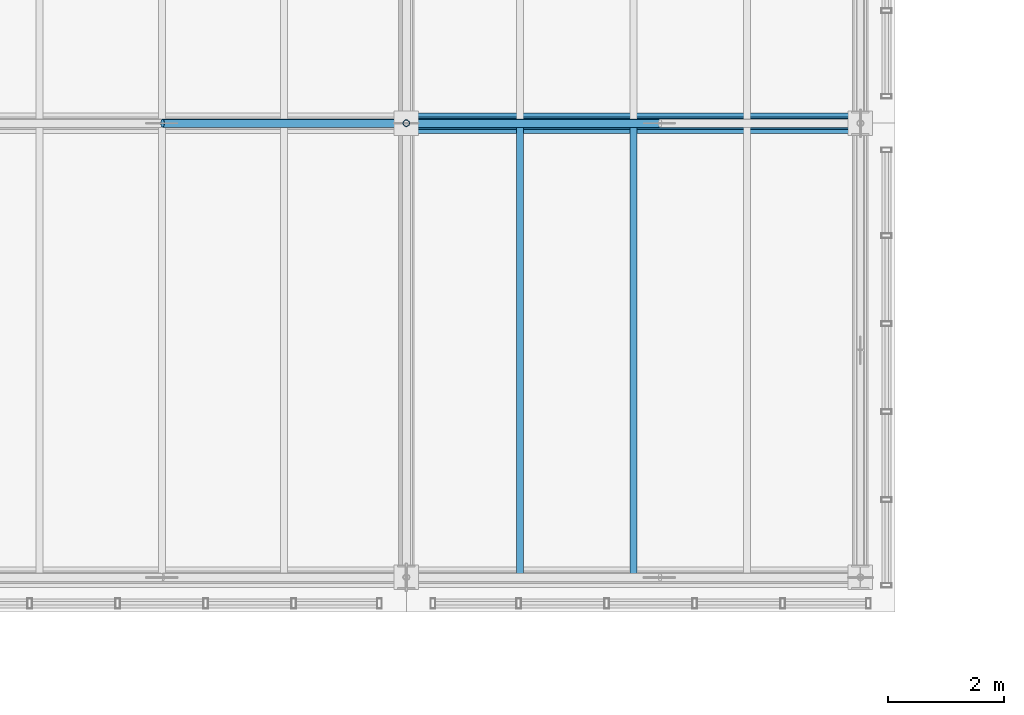
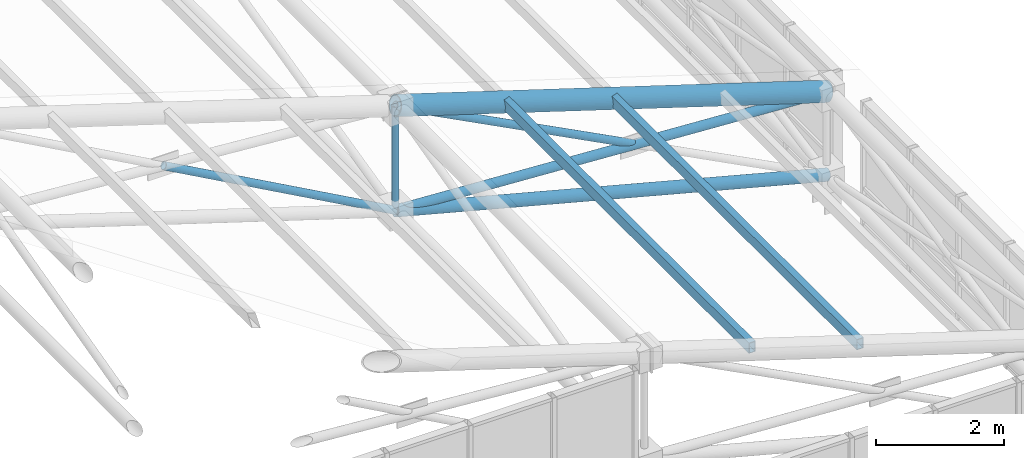
# One storey, part 84 of 144: 8 members.
"""IFC4 building model written with IfcOpenShell, lengths in metres."""

from ifc_helpers import new_model, si_unit, direction, frame, origin, origin_2d, place, context, subcontext, project, spatial, hollow_rectangle, hollow_circle, extrude, material, material_profile, profile_set, type_object, element, save


model = new_model("IFC4")

# Units and contexts
model_context = context("Model", 3, precision=1e-05, world=origin(), true_north=direction((0.0, 1.0)))
body_context = subcontext(model_context, "Body", "Model", "MODEL_VIEW")
ifc_project = project(units=[si_unit("LENGTHUNIT", "METRE"), si_unit("AREAUNIT", "SQUARE_METRE"), si_unit("VOLUMEUNIT", "CUBIC_METRE"), si_unit("PLANEANGLEUNIT", "RADIAN"), si_unit("MASSUNIT", "GRAM", prefix="KILO")], contexts=[model_context])

# Site, building, storey
site_placement = place(None, origin())
site = spatial("IfcSite", under=ifc_project, at=site_placement, CompositionType="ELEMENT")
building_placement = place(site_placement, origin())
building = spatial("IfcBuilding", under=site, at=building_placement, Name="Zayran Congress Hotel", CompositionType="ELEMENT")
storey_placement = place(building_placement, frame((0.0, 0.0, 19.199951171875)))
storey = spatial("IfcBuildingStorey", under=building, at=storey_placement, Name="L04", CompositionType="ELEMENT", Elevation=19.199951171875)

# Members
ifc_material = material(Name="Steel S355", Category="steel")
ifc_material_profile_1 = material_profile(ifc_material, hollow_circle(Radius=0.177734375, WallThickness=0.01611328125, at=origin_2d()), Name="CHS 355.6x16")
ifc_profile_set_1 = profile_set([ifc_material_profile_1], Name="Steel S355")
member_type_1 = type_object("IfcMemberType", Name="TP-SF-TC1", PredefinedType="CHORD", material=ifc_profile_set_1)
member_1_placement = place(storey_placement, frame((84.0, 76.0, 4.652099609375), z_axis=(0.953669693314, 0.0, -0.300855639892), x_axis=(0.0, 1.0, 0.0)))
element("IfcMember", 1, at=member_1_placement, inside=storey, type_object=member_type_1, Name="Space Frame Top Chord X 498", PredefinedType="CHORD", context=body_context, shape_type="SweptSolid", body=[
    extrude(hollow_circle(Radius=0.177734375, WallThickness=0.01611328125, at=origin_2d()), origin(), (0.0, 0.0, 1.0), 8.178955078125),
])
ifc_material_profile_2 = material_profile(ifc_material, hollow_circle(Radius=0.109619140625, WallThickness=0.010009765625, at=origin_2d()), Name="CHS 219.1x10")
ifc_profile_set_2 = profile_set([ifc_material_profile_2], Name="Steel S355")
member_type_2 = type_object("IfcMemberType", Name="TP-SF-BC1", PredefinedType="CHORD", material=ifc_profile_set_2)
member_2_placement = place(storey_placement, frame((84.0, 76.0, 2.650146484375), z_axis=(0.967153699015, 0.0, -0.254192294301), x_axis=(0.0, 1.0, 0.0)))
element("IfcMember", 2, at=member_2_placement, inside=storey, type_object=member_type_2, Name="Space Frame Bottom Chord X 499", PredefinedType="CHORD", context=body_context, shape_type="SweptSolid", body=[
    extrude(hollow_circle(Radius=0.109619140625, WallThickness=0.010009765625, at=origin_2d()), origin(), (0.0, 0.0, 1.0), 8.06494140625),
])
ifc_material_profile_3 = material_profile(ifc_material, hollow_circle(Radius=0.084228515625, WallThickness=0.008056640625, at=origin_2d()), Name="CHS 168.3x8")
ifc_profile_set_3 = profile_set([ifc_material_profile_3], Name="Steel S355")
member_type_3 = type_object("IfcMemberType", Name="TP-SF-DG1", PredefinedType="BRACE", material=ifc_profile_set_3)
member_3_placement = place(storey_placement, frame((84.0, 76.0, 2.650146484375), z_axis=(0.998275019581, 0.0, -0.058711032013), x_axis=(0.0, 1.0, 0.0)))
element("IfcMember", 3, at=member_3_placement, inside=storey, type_object=member_type_3, Name="Space Frame Web Diagonal X 500", PredefinedType="BRACE", context=body_context, shape_type="SweptSolid", body=[
    extrude(hollow_circle(Radius=0.084228515625, WallThickness=0.008056640625, at=origin_2d()), origin(), (0.0, 0.0, 1.0), 7.8134765625),
])
ifc_material_profile_4 = material_profile(ifc_material, hollow_circle(Radius=0.06982421875, WallThickness=0.00634765625, at=origin_2d()), Name="CHS 139.7x6.3")
ifc_profile_set_4 = profile_set([ifc_material_profile_4], Name="Steel S355")
member_type_4 = type_object("IfcMemberType", Name="TP-SF-DG2", PredefinedType="BRACE", material=ifc_profile_set_4)
member_4_placement = place(storey_placement, frame((79.81298828125, 76.0, 4.96875), z_axis=(0.874822952575, 0.0, -0.484442774379), x_axis=(0.0, 1.0, 0.0)))
element("IfcMember", 4, at=member_4_placement, inside=storey, type_object=member_type_4, Name="Space Frame Counter Diagonal X Lower 70", PredefinedType="BRACE", context=body_context, shape_type="SweptSolid", body=[
    extrude(hollow_circle(Radius=0.06982421875, WallThickness=0.00634765625, at=origin_2d()), origin(), (0.0, 0.0, 1.0), 4.7861328125),
])
member_5_placement = place(storey_placement, frame((84.0, 76.0, 4.652099609375), z_axis=(0.887399308867, 0.0, -0.461001590694), x_axis=(0.0, 1.0, 0.0)))
element("IfcMember", 5, at=member_5_placement, inside=storey, type_object=member_type_4, Name="Space Frame Counter Diagonal X Upper 501", PredefinedType="BRACE", context=body_context, shape_type="SweptSolid", body=[
    extrude(hollow_circle(Radius=0.06982421875, WallThickness=0.00634765625, at=origin_2d()), origin(), (0.0, 0.0, 1.0), 4.88232421875),
])
ifc_material_profile_5 = material_profile(ifc_material, hollow_circle(Radius=0.05712890625, WallThickness=0.00634765625, at=origin_2d()), Name="CHS 114.3x6.3")
ifc_profile_set_5 = profile_set([ifc_material_profile_5], Name="Steel S355")
member_type_5 = type_object("IfcMemberType", Name="TP-SF-DG3", PredefinedType="BRACE", material=ifc_profile_set_5)
member_6_placement = place(storey_placement, frame((84.0, 76.0, 2.650146484375), z_axis=(0.0, 0.0, 1.0), x_axis=(0.0, 1.0, 0.0)))
element("IfcMember", 6, at=member_6_placement, inside=storey, type_object=member_type_5, Name="Space Frame Web Strut 505", PredefinedType="BRACE", context=body_context, shape_type="SweptSolid", body=[
    extrude(hollow_circle(Radius=0.05712890625, WallThickness=0.00634765625, at=origin_2d()), origin(), (0.0, 0.0, 1.0), 2.001953125),
])
ifc_material_profile_6 = material_profile(ifc_material, hollow_rectangle(XDim=0.1201171875, YDim=0.199951171875, WallThickness=0.008056640625, at=origin_2d()), Name="RHS 200x120x8")
ifc_profile_set_6 = profile_set([ifc_material_profile_6], Name="Steel S355")
member_type_6 = type_object("IfcMemberType", Name="TP-PR-01", PredefinedType="PURLIN", material=ifc_profile_set_6)
for number, where, z_axis, x_axis, name in (
    (7, (85.949951171875, 68.199951171875, 4.078857421875), (0.0, 1.0, 0.0), (-1.0, 0.0, 0.0), "MEM-PR-V1-0163"),
    (8, (87.89990234375, 68.199951171875, 3.4638671875), (0.0, 1.0, 0.0), (-1.0, 0.0, 0.0), "MEM-PR-V1-0169"),
):
    element("IfcMember", number, at=place(storey_placement, frame(where, z_axis=z_axis, x_axis=x_axis)), inside=storey, type_object=member_type_6, Name=name, PredefinedType="PURLIN", context=body_context, shape_type="SweptSolid", body=[
        extrude(hollow_rectangle(XDim=0.1201171875, YDim=0.199951171875, WallThickness=0.008056640625, at=origin_2d()), origin(), (0.0, 0.0, 1.0), 7.800048828125),
    ])

save(model, "model.ifc")
